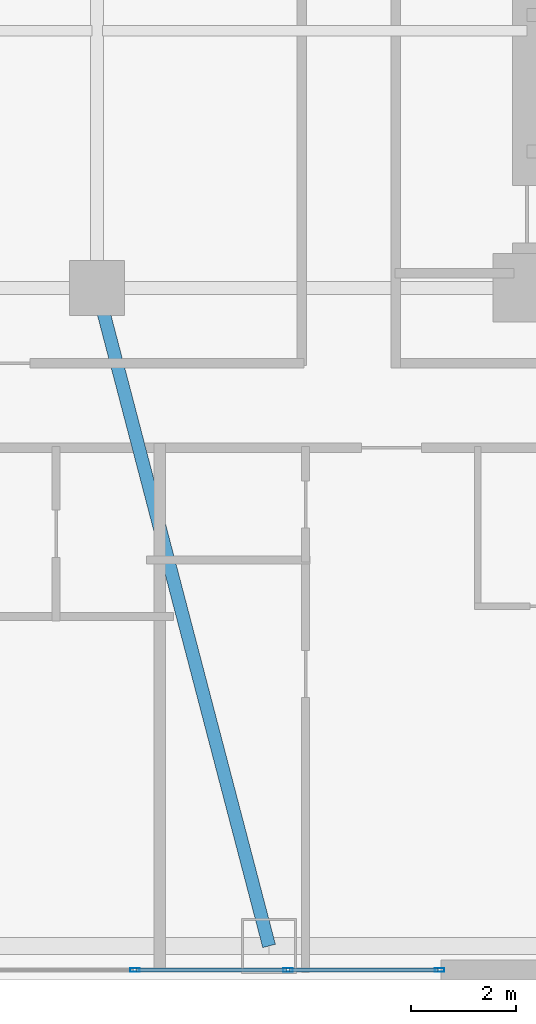
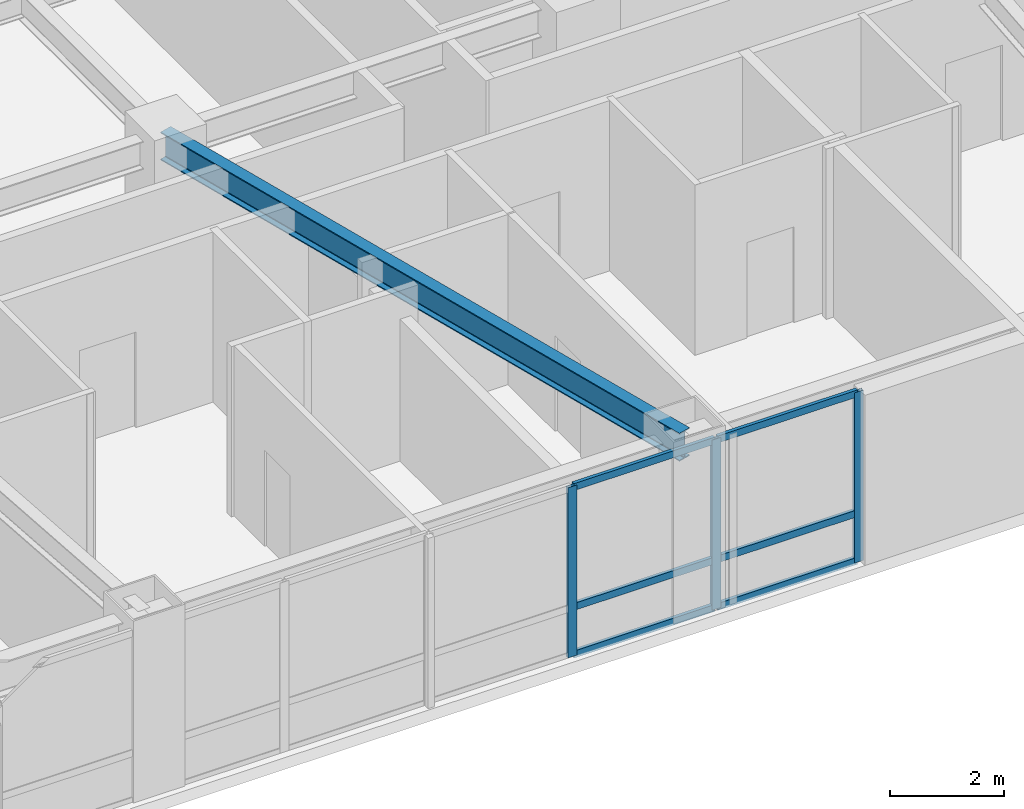
# One storey, part 10 of 28: 9 members, 1 beam, 1 element without a shape of its own.
"""IFC4 building model written with IfcOpenShell, lengths in metres."""

from ifc_helpers import new_model, si_unit, direction, frame, origin, origin_2d, place, context, subcontext, project, spatial, hollow_rectangle, i_section, extrude, material, layer, layer_set, material_profile, profile_set, type_object, element, aggregate, save


model = new_model("IFC4")

# Units and contexts
model_context = context("Model", 3, precision=1e-05, world=origin(), true_north=direction((0.0, 1.0)))
body_context = subcontext(model_context, "Body", "Model", "MODEL_VIEW")
ifc_project = project(units=[si_unit("LENGTHUNIT", "METRE"), si_unit("AREAUNIT", "SQUARE_METRE"), si_unit("VOLUMEUNIT", "CUBIC_METRE"), si_unit("PLANEANGLEUNIT", "RADIAN"), si_unit("MASSUNIT", "GRAM", prefix="KILO")], contexts=[model_context])

# Site, building, storey
site_placement = place(None, origin())
site = spatial("IfcSite", under=ifc_project, at=site_placement, CompositionType="ELEMENT")
building_placement = place(site_placement, origin())
building = spatial("IfcBuilding", under=site, at=building_placement, Name="Voryun Gate Residences", CompositionType="ELEMENT")
storey_placement = place(building_placement, frame((0.0, 0.0, 117.0)))
storey = spatial("IfcBuildingStorey", under=building, at=storey_placement, Name="L28", CompositionType="ELEMENT", Elevation=117.0)

# Beam
ifc_material_1 = material(Name="Steel SM355", Category="steel")
ifc_material_profile_1 = material_profile(ifc_material_1, i_section(OverallWidth=0.25, OverallDepth=0.60009765625, WebThickness=0.011962890625, FlangeThickness=0.02197265625, FilletRadius=0.01806640625, at=origin_2d()), Name="H-600x250x12x22")
ifc_profile_set_1 = profile_set([ifc_material_profile_1], Name="Steel SM355")
beam_type = type_object("IfcBeamType", Name="BM_GIRD_600", PredefinedType="USERDEFINED", material=ifc_profile_set_1)
beam_placement = place(storey_placement, frame((4.199951171875, -7.39990234375, 3.35009765625), z_axis=(0.252862419611, -0.967502246379, 0.0), x_axis=(0.967502246379, 0.252862419611, 0.0)))
element("IfcBeam", 1, at=beam_placement, inside=storey, type_object=beam_type, Name="BM-L28-RAD-S4", ObjectType="GIRDER", PredefinedType="USERDEFINED", context=body_context, shape_type="SweptSolid", body=[
    extrude(i_section(OverallWidth=0.25, OverallDepth=0.60009765625, WebThickness=0.011962890625, FlangeThickness=0.02197265625, FilletRadius=0.01806640625, at=origin_2d()), origin(), (0.0, 0.0, 1.0), 12.9716796875),
])

# Curtain wall, members
ifc_material_2 = material(Name="Anodised aluminium", Category="aluminium")
ifc_layer = layer(ifc_material_2, 0.179931640625, Name="CW_SYS_RES_A_DARK_GLASS")
ifc_layer_set = layer_set([ifc_layer], Name="Anodised aluminium")
curtain_wall_type = type_object("IfcCurtainWallType", Name="CW_SYS_RES_A_DARK_GLASS", PredefinedType="NOTDEFINED", material=ifc_layer_set)
curtain_wall_placement = place(storey_placement, origin())
curtain_wall = element("IfcCurtainWall", 2, at=curtain_wall_placement, inside=storey, type_object=curtain_wall_type, Name="Curtain wall CWT-L28-01", PredefinedType="NOTDEFINED")
ifc_material_3 = material(Name="Anodised aluminium", Category="aluminium")
ifc_material_profile_2 = material_profile(ifc_material_3, hollow_rectangle(XDim=0.070068359375, YDim=0.179931640625, WallThickness=0.00390625, at=origin_2d()), Name="ALU-MULL-180x70x4")
ifc_profile_set_2 = profile_set([ifc_material_profile_2], Name="Anodised aluminium")
member_type_1 = type_object("IfcMemberType", Name="CW_MULL_RES", PredefinedType="MULLION", material=ifc_profile_set_2)
member_1_placement = place(storey_placement, frame((10.73193359375, -20.409912109375, 0.0), z_axis=(0.0, 0.0, 1.0), x_axis=(0.0, -1.0, 0.0)))
member_1 = element("IfcMember", 3, at=member_1_placement, type_object=member_type_1, Name="CW3 mullion 1", PredefinedType="MULLION", context=body_context, shape_type="SweptSolid", body=[
    extrude(hollow_rectangle(XDim=0.070068359375, YDim=0.179931640625, WallThickness=0.00390625, at=origin_2d()), origin(), (0.0, 0.0, 1.0), 3.64990234375),
])
member_2_placement = place(storey_placement, frame((7.84130859375, -20.409912109375, 0.0), z_axis=(0.0, 0.0, 1.0), x_axis=(0.0, -1.0, 0.0)))
member_2 = element("IfcMember", 4, at=member_2_placement, type_object=member_type_1, Name="CW3 mullion 2", PredefinedType="MULLION", context=body_context, shape_type="SweptSolid", body=[
    extrude(hollow_rectangle(XDim=0.070068359375, YDim=0.179931640625, WallThickness=0.00390625, at=origin_2d()), origin(), (0.0, 0.0, 1.0), 3.64990234375),
])
member_3_placement = place(storey_placement, frame((4.920654296875, -20.409912109375, 0.0), z_axis=(0.0, 0.0, 1.0), x_axis=(0.0, -1.0, 0.0)))
member_3 = element("IfcMember", 5, at=member_3_placement, type_object=member_type_1, Name="CW3 mullion 3", PredefinedType="MULLION", context=body_context, shape_type="SweptSolid", body=[
    extrude(hollow_rectangle(XDim=0.070068359375, YDim=0.179931640625, WallThickness=0.00390625, at=origin_2d()), origin(), (0.0, 0.0, 1.0), 3.64990234375),
])
ifc_material_4 = material(Name="Anodised aluminium", Category="aluminium")
ifc_material_profile_3 = material_profile(ifc_material_4, hollow_rectangle(XDim=0.070068359375, YDim=0.14990234375, WallThickness=0.00390625, at=origin_2d()), Name="ALU-TRAN-150x70x4")
ifc_profile_set_3 = profile_set([ifc_material_profile_3], Name="Anodised aluminium")
member_type_2 = type_object("IfcMemberType", Name="CW_TRAN_RES", PredefinedType="USERDEFINED", material=ifc_profile_set_3)
member_4_placement = place(storey_placement, frame((10.701904296875, -20.409912109375, 0.030029296875), z_axis=(-1.0, 0.0, 0.0), x_axis=(0.0, -1.0, 0.0)))
member_4 = element("IfcMember", 6, at=member_4_placement, type_object=member_type_2, Name="CW3 transom 1.1", ObjectType="TRANSOM", PredefinedType="USERDEFINED", context=body_context, shape_type="SweptSolid", body=[
    extrude(hollow_rectangle(XDim=0.070068359375, YDim=0.14990234375, WallThickness=0.00390625, at=origin_2d()), origin(), (0.0, 0.0, 1.0), 2.83056640625),
])
member_5_placement = place(storey_placement, frame((10.701904296875, -20.409912109375, 1.050048828125), z_axis=(-1.0, 0.0, 0.0), x_axis=(0.0, -1.0, 0.0)))
member_5 = element("IfcMember", 7, at=member_5_placement, type_object=member_type_2, Name="CW3 transom 1.2", ObjectType="TRANSOM", PredefinedType="USERDEFINED", context=body_context, shape_type="SweptSolid", body=[
    extrude(hollow_rectangle(XDim=0.070068359375, YDim=0.14990234375, WallThickness=0.00390625, at=origin_2d()), origin(), (0.0, 0.0, 1.0), 2.83056640625),
])
member_6_placement = place(storey_placement, frame((10.701904296875, -20.409912109375, 3.6201171875), z_axis=(-1.0, 0.0, 0.0), x_axis=(0.0, -1.0, 0.0)))
member_6 = element("IfcMember", 8, at=member_6_placement, type_object=member_type_2, Name="CW3 transom 1.3", ObjectType="TRANSOM", PredefinedType="USERDEFINED", context=body_context, shape_type="SweptSolid", body=[
    extrude(hollow_rectangle(XDim=0.070068359375, YDim=0.14990234375, WallThickness=0.00390625, at=origin_2d()), origin(), (0.0, 0.0, 1.0), 2.83056640625),
])
member_7_placement = place(storey_placement, frame((7.811279296875, -20.409912109375, 0.030029296875), z_axis=(-1.0, 0.0, 0.0), x_axis=(0.0, -1.0, 0.0)))
member_7 = element("IfcMember", 9, at=member_7_placement, type_object=member_type_2, Name="CW3 transom 2.1", ObjectType="TRANSOM", PredefinedType="USERDEFINED", context=body_context, shape_type="SweptSolid", body=[
    extrude(hollow_rectangle(XDim=0.070068359375, YDim=0.14990234375, WallThickness=0.00390625, at=origin_2d()), origin(), (0.0, 0.0, 1.0), 2.860595703125),
])
member_8_placement = place(storey_placement, frame((7.811279296875, -20.409912109375, 1.050048828125), z_axis=(-1.0, 0.0, 0.0), x_axis=(0.0, -1.0, 0.0)))
member_8 = element("IfcMember", 10, at=member_8_placement, type_object=member_type_2, Name="CW3 transom 2.2", ObjectType="TRANSOM", PredefinedType="USERDEFINED", context=body_context, shape_type="SweptSolid", body=[
    extrude(hollow_rectangle(XDim=0.070068359375, YDim=0.14990234375, WallThickness=0.00390625, at=origin_2d()), origin(), (0.0, 0.0, 1.0), 2.860595703125),
])
member_9_placement = place(storey_placement, frame((7.811279296875, -20.409912109375, 3.6201171875), z_axis=(-1.0, 0.0, 0.0), x_axis=(0.0, -1.0, 0.0)))
member_9 = element("IfcMember", 11, at=member_9_placement, type_object=member_type_2, Name="CW3 transom 2.3", ObjectType="TRANSOM", PredefinedType="USERDEFINED", context=body_context, shape_type="SweptSolid", body=[
    extrude(hollow_rectangle(XDim=0.070068359375, YDim=0.14990234375, WallThickness=0.00390625, at=origin_2d()), origin(), (0.0, 0.0, 1.0), 2.860595703125),
])
aggregate(curtain_wall, [member_1, member_2, member_3, member_4, member_5, member_6, member_7, member_8, member_9])

save(model, "model.ifc")
